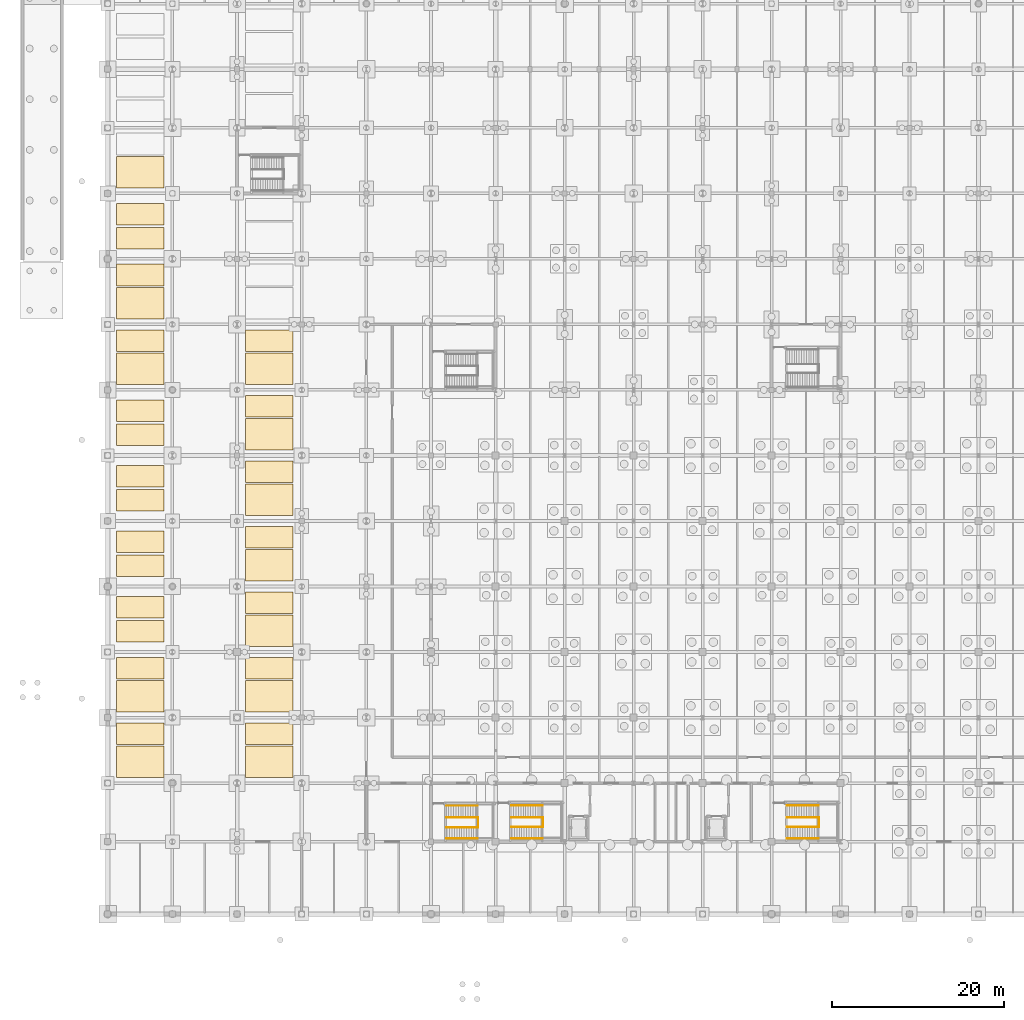
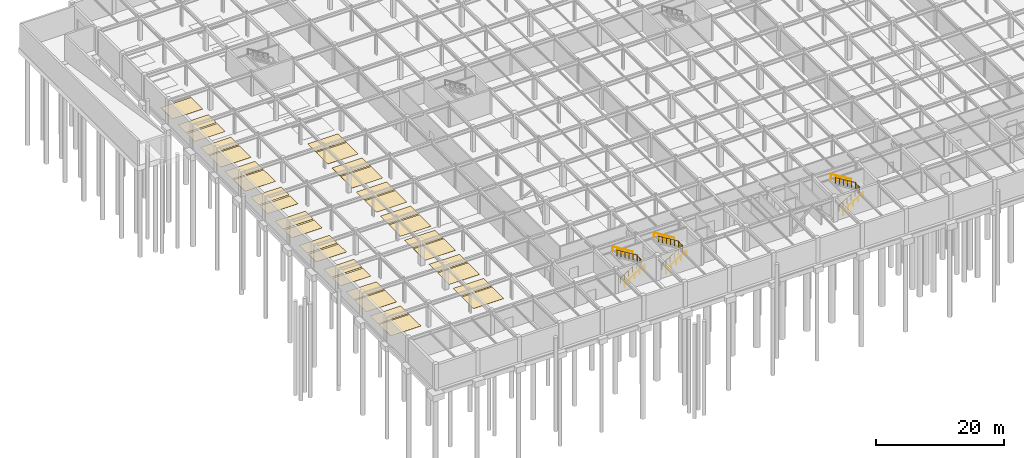
# One storey, part 50 of 53: 33 coverings, 9 railings.
"""IFC4 building model written with IfcOpenShell, lengths in metres."""

from ifc_helpers import new_model, si_unit, direction, frame, origin, origin_2d, place, context, subcontext, project, spatial, polyline, circle, outline, extrude, material, layer, layer_set, type_object, element, save


model = new_model("IFC4")

# Units and contexts
model_context = context("Model", 3, precision=1e-05, world=origin(), true_north=direction((0.0, 1.0)))
body_context = subcontext(model_context, "Body", "Model", "MODEL_VIEW")
ifc_project = project(units=[si_unit("LENGTHUNIT", "METRE"), si_unit("AREAUNIT", "SQUARE_METRE"), si_unit("VOLUMEUNIT", "CUBIC_METRE"), si_unit("PLANEANGLEUNIT", "RADIAN"), si_unit("MASSUNIT", "GRAM", prefix="KILO")], contexts=[model_context])

# Site, building, storey
site_placement = place(None, origin())
site = spatial("IfcSite", under=ifc_project, at=site_placement, CompositionType="ELEMENT")
building_placement = place(site_placement, origin())
building = spatial("IfcBuilding", under=site, at=building_placement, Name="Shalkamar Park Central Library", CompositionType="ELEMENT")
storey_placement = place(building_placement, frame((0.0, 0.0, -4.800048828125)))
storey = spatial("IfcBuildingStorey", under=building, at=storey_placement, Name="B1", CompositionType="ELEMENT", Elevation=-4.800048828125)

# Coverings
ifc_material_1 = material(Name="Thermoplastic accessible MGN parking bay marking", Category="other")
ifc_layer_1 = layer(ifc_material_1, 0.014892578125)
ifc_layer_set_1 = layer_set([ifc_layer_1], Name="AccessibleParkingBayMarking_3660x5500")
covering_type_1 = type_object("IfcCoveringType", Name="Accessible Parking Bay Marking 3660x5500", PredefinedType="FLOORING", material=ifc_layer_set_1)
covering_1_placement = place(storey_placement, origin())
element("IfcCovering", 1, at=covering_1_placement, inside=storey, type_object=covering_type_1, Name="Accessible MGN Parking Bay 01", PredefinedType="FLOORING", context=body_context, shape_type="SweptSolid", body=[
    extrude(outline(polyline([(121.0, 255.820068359375), (126.5, 255.820068359375), (126.5, 259.47998046875), (121.0, 259.47998046875), (121.0, 255.820068359375)])), origin(), (0.0, 0.0, 1.0), 0.01513671875),
])
covering_2_placement = place(storey_placement, origin())
element("IfcCovering", 2, at=covering_2_placement, inside=storey, type_object=covering_type_1, Name="Accessible MGN Parking Bay 02", PredefinedType="FLOORING", context=body_context, shape_type="SweptSolid", body=[
    extrude(outline(polyline([(121.0, 263.419921875), (126.5, 263.419921875), (126.5, 267.080078125), (121.0, 267.080078125), (121.0, 263.419921875)])), origin(), (0.0, 0.0, 1.0), 0.01513671875),
])
covering_3_placement = place(storey_placement, origin())
element("IfcCovering", 3, at=covering_3_placement, inside=storey, type_object=covering_type_1, Name="Accessible MGN Parking Bay 03", PredefinedType="FLOORING", context=body_context, shape_type="SweptSolid", body=[
    extrude(outline(polyline([(121.0, 301.419921875), (126.5, 301.419921875), (126.5, 305.080078125), (121.0, 305.080078125), (121.0, 301.419921875)])), origin(), (0.0, 0.0, 1.0), 0.01513671875),
])
covering_4_placement = place(storey_placement, origin())
element("IfcCovering", 4, at=covering_4_placement, inside=storey, type_object=covering_type_1, Name="Accessible MGN Parking Bay 04", PredefinedType="FLOORING", context=body_context, shape_type="SweptSolid", body=[
    extrude(outline(polyline([(121.0, 309.02001953125), (126.5, 309.02001953125), (126.5, 312.679931640625), (121.0, 312.679931640625), (121.0, 309.02001953125)])), origin(), (0.0, 0.0, 1.0), 0.01513671875),
])
covering_5_placement = place(storey_placement, origin())
element("IfcCovering", 5, at=covering_5_placement, inside=storey, type_object=covering_type_1, Name="Accessible MGN Parking Bay 05", PredefinedType="FLOORING", context=body_context, shape_type="SweptSolid", body=[
    extrude(outline(polyline([(121.0, 324.219970703125), (126.5, 324.219970703125), (126.5, 327.8798828125), (121.0, 327.8798828125), (121.0, 324.219970703125)])), origin(), (0.0, 0.0, 1.0), 0.01513671875),
])
covering_6_placement = place(storey_placement, origin())
element("IfcCovering", 6, at=covering_6_placement, inside=storey, type_object=covering_type_1, Name="Accessible MGN Parking Bay 06", PredefinedType="FLOORING", context=body_context, shape_type="SweptSolid", body=[
    extrude(outline(polyline([(136.0, 255.820068359375), (141.5, 255.820068359375), (141.5, 259.47998046875), (136.0, 259.47998046875), (136.0, 255.820068359375)])), origin(), (0.0, 0.0, 1.0), 0.01513671875),
])
covering_7_placement = place(storey_placement, origin())
element("IfcCovering", 7, at=covering_7_placement, inside=storey, type_object=covering_type_1, Name="Accessible MGN Parking Bay 07", PredefinedType="FLOORING", context=body_context, shape_type="SweptSolid", body=[
    extrude(outline(polyline([(136.0, 263.419921875), (141.5, 263.419921875), (141.5, 267.080078125), (136.0, 267.080078125), (136.0, 263.419921875)])), origin(), (0.0, 0.0, 1.0), 0.01513671875),
])
covering_8_placement = place(storey_placement, origin())
element("IfcCovering", 8, at=covering_8_placement, inside=storey, type_object=covering_type_1, Name="Accessible MGN Parking Bay 08", PredefinedType="FLOORING", context=body_context, shape_type="SweptSolid", body=[
    extrude(outline(polyline([(136.0, 271.02001953125), (141.5, 271.02001953125), (141.5, 274.679931640625), (136.0, 274.679931640625), (136.0, 271.02001953125)])), origin(), (0.0, 0.0, 1.0), 0.01513671875),
])
covering_9_placement = place(storey_placement, origin())
element("IfcCovering", 9, at=covering_9_placement, inside=storey, type_object=covering_type_1, Name="Accessible MGN Parking Bay 09", PredefinedType="FLOORING", context=body_context, shape_type="SweptSolid", body=[
    extrude(outline(polyline([(136.0, 278.6201171875), (141.5, 278.6201171875), (141.5, 282.280029296875), (136.0, 282.280029296875), (136.0, 278.6201171875)])), origin(), (0.0, 0.0, 1.0), 0.01513671875),
])
covering_10_placement = place(storey_placement, origin())
element("IfcCovering", 10, at=covering_10_placement, inside=storey, type_object=covering_type_1, Name="Accessible MGN Parking Bay 10", PredefinedType="FLOORING", context=body_context, shape_type="SweptSolid", body=[
    extrude(outline(polyline([(136.0, 286.219970703125), (141.5, 286.219970703125), (141.5, 289.8798828125), (136.0, 289.8798828125), (136.0, 286.219970703125)])), origin(), (0.0, 0.0, 1.0), 0.01513671875),
])
covering_11_placement = place(storey_placement, origin())
element("IfcCovering", 11, at=covering_11_placement, inside=storey, type_object=covering_type_1, Name="Accessible MGN Parking Bay 11", PredefinedType="FLOORING", context=body_context, shape_type="SweptSolid", body=[
    extrude(outline(polyline([(136.0, 293.820068359375), (141.5, 293.820068359375), (141.5, 297.47998046875), (136.0, 297.47998046875), (136.0, 293.820068359375)])), origin(), (0.0, 0.0, 1.0), 0.01513671875),
])
covering_12_placement = place(storey_placement, origin())
element("IfcCovering", 12, at=covering_12_placement, inside=storey, type_object=covering_type_1, Name="Accessible MGN Parking Bay 12", PredefinedType="FLOORING", context=body_context, shape_type="SweptSolid", body=[
    extrude(outline(polyline([(136.0, 301.419921875), (141.5, 301.419921875), (141.5, 305.080078125), (136.0, 305.080078125), (136.0, 301.419921875)])), origin(), (0.0, 0.0, 1.0), 0.01513671875),
])

# Railings
ifc_material_2 = material(Name="Steel S355", Category="steel")
railing_type_1 = type_object("IfcRailingType", Name="Stair Guardrail 1100", PredefinedType="GUARDRAIL", material=ifc_material_2)
railing_1_placement = place(storey_placement, frame((166.800048828125, 250.090087890625, 0.17138671875)))
element("IfcRailing", 13, at=railing_1_placement, inside=storey, type_object=railing_type_1, Name="Stair Inner Well Guardrail ST-T1-B1", PredefinedType="GUARDRAIL", context=body_context, shape_type="SweptSolid", body=[
    extrude(circle(Radius=0.02392578125, at=origin_2d()), frame((0.0, 0.0, 1.076171875), z_axis=(0.852824790078, 0.0, 0.522197163366), x_axis=(0.0, 1.0, 0.0)), (0.0, 0.0, 1.0), 4.26806640625),
    extrude(circle(Radius=0.02392578125, at=origin_2d()), frame((3.639892578125, 0.0, 3.3046875), z_axis=(1.0, 0.0, 0.0), x_axis=(0.0, 1.0, 0.0)), (0.0, 0.0, 1.0), 0.06005859375),
    extrude(circle(Radius=0.02392578125, at=origin_2d()), frame((3.699951171875, 0.0, 3.3046875), z_axis=(0.0, 1.0, 0.0), x_axis=(-1.0, 0.0, 0.0)), (0.0, 0.0, 1.0), 1.119873046875),
    extrude(circle(Radius=0.02392578125, at=origin_2d()), frame((3.699951171875, 1.119873046875, 3.3046875), z_axis=(-0.33070969211, 0.0, 0.943732536021), x_axis=(0.0, -1.0, 0.0)), (0.0, 0.0, 1.0), 0.181640625),
    extrude(circle(Radius=0.02392578125, at=origin_2d()), frame((3.639892578125, 1.119873046875, 3.47607421875), z_axis=(-0.852850264322, 0.0, 0.5221555579), x_axis=(0.0, -1.0, 0.0)), (0.0, 0.0, 1.0), 4.267822265625),
    extrude(circle(Radius=0.02099609375, at=origin_2d()), origin(), (0.0, 0.0, 1.0), 1.052001953125),
    extrude(circle(Radius=0.02099609375, at=origin_2d()), frame((0.72802734375, 0.0, 0.44580078125)), (0.0, 0.0, 1.0), 1.052001953125),
    extrude(circle(Radius=0.02099609375, at=origin_2d()), frame((1.4560546875, 0.0, 0.8916015625)), (0.0, 0.0, 1.0), 1.052001953125),
    extrude(circle(Radius=0.02099609375, at=origin_2d()), frame((2.183837890625, 0.0, 1.337158203125)), (0.0, 0.0, 1.0), 1.052001953125),
    extrude(circle(Radius=0.02099609375, at=origin_2d()), frame((2.911865234375, 0.0, 1.782958984375)), (0.0, 0.0, 1.0), 1.052001953125),
    extrude(circle(Radius=0.02099609375, at=origin_2d()), frame((3.639892578125, 0.0, 2.228759765625)), (0.0, 0.0, 1.0), 1.052001953125),
    extrude(circle(Radius=0.02099609375, at=origin_2d()), frame((3.699951171875, 0.0, 2.228759765625)), (0.0, 0.0, 1.0), 1.052001953125),
    extrude(circle(Radius=0.02099609375, at=origin_2d()), frame((3.699951171875, 0.56005859375, 2.228759765625)), (0.0, 0.0, 1.0), 1.052001953125),
    extrude(circle(Radius=0.02099609375, at=origin_2d()), frame((3.699951171875, 1.119873046875, 2.228759765625)), (0.0, 0.0, 1.0), 1.052001953125),
    extrude(circle(Radius=0.02099609375, at=origin_2d()), frame((3.639892578125, 1.119873046875, 2.400146484375)), (0.0, 0.0, 1.0), 1.052001953125),
    extrude(circle(Radius=0.02099609375, at=origin_2d()), frame((2.911865234375, 1.119873046875, 2.845947265625)), (0.0, 0.0, 1.0), 1.052001953125),
    extrude(circle(Radius=0.02099609375, at=origin_2d()), frame((2.183837890625, 1.119873046875, 3.29150390625)), (0.0, 0.0, 1.0), 1.052001953125),
    extrude(circle(Radius=0.02099609375, at=origin_2d()), frame((1.4560546875, 1.119873046875, 3.7373046875)), (0.0, 0.0, 1.0), 1.052001953125),
    extrude(circle(Radius=0.02099609375, at=origin_2d()), frame((0.72802734375, 1.119873046875, 4.182861328125)), (0.0, 0.0, 1.0), 1.052001953125),
    extrude(circle(Radius=0.02099609375, at=origin_2d()), frame((0.0, 1.119873046875, 4.628662109375)), (0.0, 0.0, 1.0), 1.052001953125),
])
railing_2_placement = place(storey_placement, frame((198.800048828125, 250.090087890625, 0.17138671875)))
element("IfcRailing", 14, at=railing_2_placement, inside=storey, type_object=railing_type_1, Name="Stair Inner Well Guardrail ST-T2-B1", PredefinedType="GUARDRAIL", context=body_context, shape_type="SweptSolid", body=[
    extrude(circle(Radius=0.02392578125, at=origin_2d()), frame((0.0, 0.0, 1.076171875), z_axis=(0.852824790078, 0.0, 0.522197163366), x_axis=(0.0, 1.0, 0.0)), (0.0, 0.0, 1.0), 4.26806640625),
    extrude(circle(Radius=0.02392578125, at=origin_2d()), frame((3.639892578125, 0.0, 3.3046875), z_axis=(1.0, 0.0, 0.0), x_axis=(0.0, 1.0, 0.0)), (0.0, 0.0, 1.0), 0.06005859375),
    extrude(circle(Radius=0.02392578125, at=origin_2d()), frame((3.699951171875, 0.0, 3.3046875), z_axis=(0.0, 1.0, 0.0), x_axis=(-1.0, 0.0, 0.0)), (0.0, 0.0, 1.0), 1.119873046875),
    extrude(circle(Radius=0.02392578125, at=origin_2d()), frame((3.699951171875, 1.119873046875, 3.3046875), z_axis=(-0.33070969211, 0.0, 0.943732536021), x_axis=(0.0, -1.0, 0.0)), (0.0, 0.0, 1.0), 0.181640625),
    extrude(circle(Radius=0.02392578125, at=origin_2d()), frame((3.639892578125, 1.119873046875, 3.47607421875), z_axis=(-0.852850264322, 0.0, 0.5221555579), x_axis=(0.0, -1.0, 0.0)), (0.0, 0.0, 1.0), 4.267822265625),
    extrude(circle(Radius=0.02099609375, at=origin_2d()), origin(), (0.0, 0.0, 1.0), 1.052001953125),
    extrude(circle(Radius=0.02099609375, at=origin_2d()), frame((0.72802734375, 0.0, 0.44580078125)), (0.0, 0.0, 1.0), 1.052001953125),
    extrude(circle(Radius=0.02099609375, at=origin_2d()), frame((1.4560546875, 0.0, 0.8916015625)), (0.0, 0.0, 1.0), 1.052001953125),
    extrude(circle(Radius=0.02099609375, at=origin_2d()), frame((2.183837890625, 0.0, 1.337158203125)), (0.0, 0.0, 1.0), 1.052001953125),
    extrude(circle(Radius=0.02099609375, at=origin_2d()), frame((2.911865234375, 0.0, 1.782958984375)), (0.0, 0.0, 1.0), 1.052001953125),
    extrude(circle(Radius=0.02099609375, at=origin_2d()), frame((3.639892578125, 0.0, 2.228759765625)), (0.0, 0.0, 1.0), 1.052001953125),
    extrude(circle(Radius=0.02099609375, at=origin_2d()), frame((3.699951171875, 0.0, 2.228759765625)), (0.0, 0.0, 1.0), 1.052001953125),
    extrude(circle(Radius=0.02099609375, at=origin_2d()), frame((3.699951171875, 0.56005859375, 2.228759765625)), (0.0, 0.0, 1.0), 1.052001953125),
    extrude(circle(Radius=0.02099609375, at=origin_2d()), frame((3.699951171875, 1.119873046875, 2.228759765625)), (0.0, 0.0, 1.0), 1.052001953125),
    extrude(circle(Radius=0.02099609375, at=origin_2d()), frame((3.639892578125, 1.119873046875, 2.400146484375)), (0.0, 0.0, 1.0), 1.052001953125),
    extrude(circle(Radius=0.02099609375, at=origin_2d()), frame((2.911865234375, 1.119873046875, 2.845947265625)), (0.0, 0.0, 1.0), 1.052001953125),
    extrude(circle(Radius=0.02099609375, at=origin_2d()), frame((2.183837890625, 1.119873046875, 3.29150390625)), (0.0, 0.0, 1.0), 1.052001953125),
    extrude(circle(Radius=0.02099609375, at=origin_2d()), frame((1.4560546875, 1.119873046875, 3.7373046875)), (0.0, 0.0, 1.0), 1.052001953125),
    extrude(circle(Radius=0.02099609375, at=origin_2d()), frame((0.72802734375, 1.119873046875, 4.182861328125)), (0.0, 0.0, 1.0), 1.052001953125),
    extrude(circle(Radius=0.02099609375, at=origin_2d()), frame((0.0, 1.119873046875, 4.628662109375)), (0.0, 0.0, 1.0), 1.052001953125),
])
railing_3_placement = place(storey_placement, frame((159.27490234375, 250.06494140625, 0.17138671875)))
element("IfcRailing", 15, at=railing_3_placement, inside=storey, type_object=railing_type_1, Name="Stair Inner Well Guardrail ST-P1-B1", PredefinedType="GUARDRAIL", context=body_context, shape_type="SweptSolid", body=[
    extrude(circle(Radius=0.02392578125, at=origin_2d()), frame((0.0, 0.0, 1.076171875), z_axis=(0.852840387347, 0.0, 0.522171689878), x_axis=(0.0, 1.0, 0.0)), (0.0, 0.0, 1.0), 4.268310546875),
    extrude(circle(Radius=0.02392578125, at=origin_2d()), frame((3.64013671875, 0.0, 3.3046875), z_axis=(1.0, 0.0, 0.0), x_axis=(0.0, 1.0, 0.0)), (0.0, 0.0, 1.0), 0.06005859375),
    extrude(circle(Radius=0.02392578125, at=origin_2d()), frame((3.7001953125, 0.0, 3.3046875), z_axis=(0.0, 1.0, 0.0), x_axis=(-1.0, 0.0, 0.0)), (0.0, 0.0, 1.0), 1.1201171875),
    extrude(circle(Radius=0.02392578125, at=origin_2d()), frame((3.7001953125, 1.1201171875, 3.3046875), z_axis=(-0.33070969211, 0.0, 0.943732536021), x_axis=(0.0, -1.0, 0.0)), (0.0, 0.0, 1.0), 0.181640625),
    extrude(circle(Radius=0.02392578125, at=origin_2d()), frame((3.64013671875, 1.1201171875, 3.47607421875), z_axis=(-0.852865859571, 0.0, 0.52213008492), x_axis=(0.0, -1.0, 0.0)), (0.0, 0.0, 1.0), 4.26806640625),
    extrude(circle(Radius=0.02099609375, at=origin_2d()), origin(), (0.0, 0.0, 1.0), 1.052001953125),
    extrude(circle(Radius=0.02099609375, at=origin_2d()), frame((0.72802734375, 0.0, 0.44580078125)), (0.0, 0.0, 1.0), 1.052001953125),
    extrude(circle(Radius=0.02099609375, at=origin_2d()), frame((1.4560546875, 0.0, 0.8916015625)), (0.0, 0.0, 1.0), 1.052001953125),
    extrude(circle(Radius=0.02099609375, at=origin_2d()), frame((2.18408203125, 0.0, 1.337158203125)), (0.0, 0.0, 1.0), 1.052001953125),
    extrude(circle(Radius=0.02099609375, at=origin_2d()), frame((2.912109375, 0.0, 1.782958984375)), (0.0, 0.0, 1.0), 1.052001953125),
    extrude(circle(Radius=0.02099609375, at=origin_2d()), frame((3.64013671875, 0.0, 2.228759765625)), (0.0, 0.0, 1.0), 1.052001953125),
    extrude(circle(Radius=0.02099609375, at=origin_2d()), frame((3.7001953125, 0.0, 2.228759765625)), (0.0, 0.0, 1.0), 1.052001953125),
    extrude(circle(Radius=0.02099609375, at=origin_2d()), frame((3.7001953125, 0.56005859375, 2.228759765625)), (0.0, 0.0, 1.0), 1.052001953125),
    extrude(circle(Radius=0.02099609375, at=origin_2d()), frame((3.7001953125, 1.1201171875, 2.228759765625)), (0.0, 0.0, 1.0), 1.052001953125),
    extrude(circle(Radius=0.02099609375, at=origin_2d()), frame((3.64013671875, 1.1201171875, 2.400146484375)), (0.0, 0.0, 1.0), 1.052001953125),
    extrude(circle(Radius=0.02099609375, at=origin_2d()), frame((2.912109375, 1.1201171875, 2.845947265625)), (0.0, 0.0, 1.0), 1.052001953125),
    extrude(circle(Radius=0.02099609375, at=origin_2d()), frame((2.18408203125, 1.1201171875, 3.29150390625)), (0.0, 0.0, 1.0), 1.052001953125),
    extrude(circle(Radius=0.02099609375, at=origin_2d()), frame((1.4560546875, 1.1201171875, 3.7373046875)), (0.0, 0.0, 1.0), 1.052001953125),
    extrude(circle(Radius=0.02099609375, at=origin_2d()), frame((0.72802734375, 1.1201171875, 4.182861328125)), (0.0, 0.0, 1.0), 1.052001953125),
    extrude(circle(Radius=0.02099609375, at=origin_2d()), frame((0.0, 1.1201171875, 4.628662109375)), (0.0, 0.0, 1.0), 1.052001953125),
])
railing_type_2 = type_object("IfcRailingType", Name="Stair Pitched Handrail 920", PredefinedType="HANDRAIL", material=ifc_material_2)
railing_4_placement = place(storey_placement, frame((166.800048828125, 248.780029296875, 0.17138671875)))
element("IfcRailing", 16, at=railing_4_placement, inside=storey, type_object=railing_type_2, Name="Stair Wall Handrail ST-T1-B1 Flight 1", PredefinedType="HANDRAIL", context=body_context, shape_type="SweptSolid", body=[
    extrude(circle(Radius=0.02392578125, at=origin_2d()), frame((0.0, 0.0, 0.89599609375), z_axis=(0.852824790078, 0.0, 0.522197163366), x_axis=(0.0, 1.0, 0.0)), (0.0, 0.0, 1.0), 4.26806640625),
    extrude(circle(Radius=0.02099609375, at=origin_2d()), origin(), (0.0, 0.0, 1.0), 0.871826171875),
    extrude(circle(Radius=0.02099609375, at=origin_2d()), frame((0.909912109375, 0.0, 0.55712890625)), (0.0, 0.0, 1.0), 0.871826171875),
    extrude(circle(Radius=0.02099609375, at=origin_2d()), frame((1.81982421875, 0.0, 1.1142578125)), (0.0, 0.0, 1.0), 0.871826171875),
    extrude(circle(Radius=0.02099609375, at=origin_2d()), frame((2.72998046875, 0.0, 1.671630859375)), (0.0, 0.0, 1.0), 0.871826171875),
    extrude(circle(Radius=0.02099609375, at=origin_2d()), frame((3.639892578125, 0.0, 2.228759765625)), (0.0, 0.0, 1.0), 0.871826171875),
])
railing_5_placement = place(storey_placement, frame((170.43994140625, 252.60009765625, 2.571533203125)))
element("IfcRailing", 17, at=railing_5_placement, inside=storey, type_object=railing_type_2, Name="Stair Wall Handrail ST-T1-B1 Flight 2", PredefinedType="HANDRAIL", context=body_context, shape_type="SweptSolid", body=[
    extrude(circle(Radius=0.02392578125, at=origin_2d()), frame((0.0, 0.0, 0.89599609375), z_axis=(-0.852850264322, 0.0, 0.5221555579), x_axis=(0.0, -1.0, 0.0)), (0.0, 0.0, 1.0), 4.267822265625),
    extrude(circle(Radius=0.02099609375, at=origin_2d()), origin(), (0.0, 0.0, 1.0), 0.871826171875),
    extrude(circle(Radius=0.02099609375, at=origin_2d()), frame((-0.909912109375, 0.0, 0.55712890625)), (0.0, 0.0, 1.0), 0.871826171875),
    extrude(circle(Radius=0.02099609375, at=origin_2d()), frame((-1.81982421875, 0.0, 1.1142578125)), (0.0, 0.0, 1.0), 0.871826171875),
    extrude(circle(Radius=0.02099609375, at=origin_2d()), frame((-2.72998046875, 0.0, 1.67138671875)), (0.0, 0.0, 1.0), 0.871826171875),
    extrude(circle(Radius=0.02099609375, at=origin_2d()), frame((-3.639892578125, 0.0, 2.228515625)), (0.0, 0.0, 1.0), 0.871826171875),
])
railing_6_placement = place(storey_placement, frame((198.800048828125, 248.780029296875, 0.17138671875)))
element("IfcRailing", 18, at=railing_6_placement, inside=storey, type_object=railing_type_2, Name="Stair Wall Handrail ST-T2-B1 Flight 1", PredefinedType="HANDRAIL", context=body_context, shape_type="SweptSolid", body=[
    extrude(circle(Radius=0.02392578125, at=origin_2d()), frame((0.0, 0.0, 0.89599609375), z_axis=(0.852824790078, 0.0, 0.522197163366), x_axis=(0.0, 1.0, 0.0)), (0.0, 0.0, 1.0), 4.26806640625),
    extrude(circle(Radius=0.02099609375, at=origin_2d()), origin(), (0.0, 0.0, 1.0), 0.871826171875),
    extrude(circle(Radius=0.02099609375, at=origin_2d()), frame((0.909912109375, 0.0, 0.55712890625)), (0.0, 0.0, 1.0), 0.871826171875),
    extrude(circle(Radius=0.02099609375, at=origin_2d()), frame((1.81982421875, 0.0, 1.1142578125)), (0.0, 0.0, 1.0), 0.871826171875),
    extrude(circle(Radius=0.02099609375, at=origin_2d()), frame((2.72998046875, 0.0, 1.671630859375)), (0.0, 0.0, 1.0), 0.871826171875),
    extrude(circle(Radius=0.02099609375, at=origin_2d()), frame((3.639892578125, 0.0, 2.228759765625)), (0.0, 0.0, 1.0), 0.871826171875),
])
railing_7_placement = place(storey_placement, frame((202.43994140625, 252.60009765625, 2.571533203125)))
element("IfcRailing", 19, at=railing_7_placement, inside=storey, type_object=railing_type_2, Name="Stair Wall Handrail ST-T2-B1 Flight 2", PredefinedType="HANDRAIL", context=body_context, shape_type="SweptSolid", body=[
    extrude(circle(Radius=0.02392578125, at=origin_2d()), frame((0.0, 0.0, 0.89599609375), z_axis=(-0.852850264322, 0.0, 0.5221555579), x_axis=(0.0, -1.0, 0.0)), (0.0, 0.0, 1.0), 4.267822265625),
    extrude(circle(Radius=0.02099609375, at=origin_2d()), origin(), (0.0, 0.0, 1.0), 0.871826171875),
    extrude(circle(Radius=0.02099609375, at=origin_2d()), frame((-0.909912109375, 0.0, 0.55712890625)), (0.0, 0.0, 1.0), 0.871826171875),
    extrude(circle(Radius=0.02099609375, at=origin_2d()), frame((-1.81982421875, 0.0, 1.1142578125)), (0.0, 0.0, 1.0), 0.871826171875),
    extrude(circle(Radius=0.02099609375, at=origin_2d()), frame((-2.72998046875, 0.0, 1.67138671875)), (0.0, 0.0, 1.0), 0.871826171875),
    extrude(circle(Radius=0.02099609375, at=origin_2d()), frame((-3.639892578125, 0.0, 2.228515625)), (0.0, 0.0, 1.0), 0.871826171875),
])
railing_8_placement = place(storey_placement, frame((159.27490234375, 248.7548828125, 0.17138671875)))
element("IfcRailing", 20, at=railing_8_placement, inside=storey, type_object=railing_type_2, Name="Stair Wall Handrail ST-P1-B1 Flight 1", PredefinedType="HANDRAIL", context=body_context, shape_type="SweptSolid", body=[
    extrude(circle(Radius=0.02392578125, at=origin_2d()), frame((0.0, 0.0, 0.89599609375), z_axis=(0.852840387347, 0.0, 0.522171689878), x_axis=(0.0, 1.0, 0.0)), (0.0, 0.0, 1.0), 4.268310546875),
    extrude(circle(Radius=0.02099609375, at=origin_2d()), origin(), (0.0, 0.0, 1.0), 0.871826171875),
    extrude(circle(Radius=0.02099609375, at=origin_2d()), frame((0.91015625, 0.0, 0.55712890625)), (0.0, 0.0, 1.0), 0.871826171875),
    extrude(circle(Radius=0.02099609375, at=origin_2d()), frame((1.820068359375, 0.0, 1.1142578125)), (0.0, 0.0, 1.0), 0.871826171875),
    extrude(circle(Radius=0.02099609375, at=origin_2d()), frame((2.72998046875, 0.0, 1.671630859375)), (0.0, 0.0, 1.0), 0.871826171875),
    extrude(circle(Radius=0.02099609375, at=origin_2d()), frame((3.64013671875, 0.0, 2.228759765625)), (0.0, 0.0, 1.0), 0.871826171875),
])
railing_9_placement = place(storey_placement, frame((162.9150390625, 252.574951171875, 2.571533203125)))
element("IfcRailing", 21, at=railing_9_placement, inside=storey, type_object=railing_type_2, Name="Stair Wall Handrail ST-P1-B1 Flight 2", PredefinedType="HANDRAIL", context=body_context, shape_type="SweptSolid", body=[
    extrude(circle(Radius=0.02392578125, at=origin_2d()), frame((0.0, 0.0, 0.89599609375), z_axis=(-0.852865859571, 0.0, 0.52213008492), x_axis=(0.0, -1.0, 0.0)), (0.0, 0.0, 1.0), 4.26806640625),
    extrude(circle(Radius=0.02099609375, at=origin_2d()), origin(), (0.0, 0.0, 1.0), 0.871826171875),
    extrude(circle(Radius=0.02099609375, at=origin_2d()), frame((-0.91015625, 0.0, 0.55712890625)), (0.0, 0.0, 1.0), 0.871826171875),
    extrude(circle(Radius=0.02099609375, at=origin_2d()), frame((-1.820068359375, 0.0, 1.1142578125)), (0.0, 0.0, 1.0), 0.871826171875),
    extrude(circle(Radius=0.02099609375, at=origin_2d()), frame((-2.72998046875, 0.0, 1.67138671875)), (0.0, 0.0, 1.0), 0.871826171875),
    extrude(circle(Radius=0.02099609375, at=origin_2d()), frame((-3.64013671875, 0.0, 2.228515625)), (0.0, 0.0, 1.0), 0.871826171875),
])

# Coverings
ifc_material_3 = material(Name="Thermoplastic parking bay floor marking", Category="other")
ifc_layer_2 = layer(ifc_material_3, 0.014892578125)
ifc_layer_set_2 = layer_set([ifc_layer_2], Name="StandardParkingBayMarking_2500x5500")
covering_type_2 = type_object("IfcCoveringType", Name="Standard Parking Bay Marking 2500x5500", PredefinedType="FLOORING", material=ifc_layer_set_2)
covering_13_placement = place(storey_placement, origin())
element("IfcCovering", 22, at=covering_13_placement, inside=storey, type_object=covering_type_2, Name="Standard Car Parking Bay 01", PredefinedType="FLOORING", context=body_context, shape_type="SweptSolid", body=[
    extrude(outline(polyline([(121.0, 259.679931640625), (126.5, 259.679931640625), (126.5, 262.179931640625), (121.0, 262.179931640625), (121.0, 259.679931640625)])), origin(), (0.0, 0.0, 1.0), 0.01513671875),
])
covering_14_placement = place(storey_placement, origin())
element("IfcCovering", 23, at=covering_14_placement, inside=storey, type_object=covering_type_2, Name="Standard Car Parking Bay 02", PredefinedType="FLOORING", context=body_context, shape_type="SweptSolid", body=[
    extrude(outline(polyline([(121.0, 267.280029296875), (126.5, 267.280029296875), (126.5, 269.780029296875), (121.0, 269.780029296875), (121.0, 267.280029296875)])), origin(), (0.0, 0.0, 1.0), 0.01513671875),
])
covering_15_placement = place(storey_placement, origin())
element("IfcCovering", 24, at=covering_15_placement, inside=storey, type_object=covering_type_2, Name="Standard Car Parking Bay 03", PredefinedType="FLOORING", context=body_context, shape_type="SweptSolid", body=[
    extrude(outline(polyline([(121.0, 271.550048828125), (126.5, 271.550048828125), (126.5, 274.050048828125), (121.0, 274.050048828125), (121.0, 271.550048828125)])), origin(), (0.0, 0.0, 1.0), 0.01513671875),
])
covering_16_placement = place(storey_placement, origin())
element("IfcCovering", 25, at=covering_16_placement, inside=storey, type_object=covering_type_2, Name="Standard Car Parking Bay 04", PredefinedType="FLOORING", context=body_context, shape_type="SweptSolid", body=[
    extrude(outline(polyline([(121.0, 274.35009765625), (126.5, 274.35009765625), (126.5, 276.85009765625), (121.0, 276.85009765625), (121.0, 274.35009765625)])), origin(), (0.0, 0.0, 1.0), 0.01513671875),
])
covering_17_placement = place(storey_placement, origin())
element("IfcCovering", 26, at=covering_17_placement, inside=storey, type_object=covering_type_2, Name="Standard Car Parking Bay 05", PredefinedType="FLOORING", context=body_context, shape_type="SweptSolid", body=[
    extrude(outline(polyline([(121.0, 279.14990234375), (126.5, 279.14990234375), (126.5, 281.64990234375), (121.0, 281.64990234375), (121.0, 279.14990234375)])), origin(), (0.0, 0.0, 1.0), 0.01513671875),
])
covering_18_placement = place(storey_placement, origin())
element("IfcCovering", 27, at=covering_18_placement, inside=storey, type_object=covering_type_2, Name="Standard Car Parking Bay 06", PredefinedType="FLOORING", context=body_context, shape_type="SweptSolid", body=[
    extrude(outline(polyline([(121.0, 281.949951171875), (126.5, 281.949951171875), (126.5, 284.449951171875), (121.0, 284.449951171875), (121.0, 281.949951171875)])), origin(), (0.0, 0.0, 1.0), 0.01513671875),
])
covering_19_placement = place(storey_placement, origin())
element("IfcCovering", 28, at=covering_19_placement, inside=storey, type_object=covering_type_2, Name="Standard Car Parking Bay 07", PredefinedType="FLOORING", context=body_context, shape_type="SweptSolid", body=[
    extrude(outline(polyline([(121.0, 286.75), (126.5, 286.75), (126.5, 289.25), (121.0, 289.25), (121.0, 286.75)])), origin(), (0.0, 0.0, 1.0), 0.01513671875),
])
covering_20_placement = place(storey_placement, origin())
element("IfcCovering", 29, at=covering_20_placement, inside=storey, type_object=covering_type_2, Name="Standard Car Parking Bay 08", PredefinedType="FLOORING", context=body_context, shape_type="SweptSolid", body=[
    extrude(outline(polyline([(121.0, 289.550048828125), (126.5, 289.550048828125), (126.5, 292.050048828125), (121.0, 292.050048828125), (121.0, 289.550048828125)])), origin(), (0.0, 0.0, 1.0), 0.01513671875),
])
covering_21_placement = place(storey_placement, origin())
element("IfcCovering", 30, at=covering_21_placement, inside=storey, type_object=covering_type_2, Name="Standard Car Parking Bay 09", PredefinedType="FLOORING", context=body_context, shape_type="SweptSolid", body=[
    extrude(outline(polyline([(121.0, 294.35009765625), (126.5, 294.35009765625), (126.5, 296.85009765625), (121.0, 296.85009765625), (121.0, 294.35009765625)])), origin(), (0.0, 0.0, 1.0), 0.01513671875),
])
covering_22_placement = place(storey_placement, origin())
element("IfcCovering", 31, at=covering_22_placement, inside=storey, type_object=covering_type_2, Name="Standard Car Parking Bay 10", PredefinedType="FLOORING", context=body_context, shape_type="SweptSolid", body=[
    extrude(outline(polyline([(121.0, 297.14990234375), (126.5, 297.14990234375), (126.5, 299.64990234375), (121.0, 299.64990234375), (121.0, 297.14990234375)])), origin(), (0.0, 0.0, 1.0), 0.01513671875),
])
covering_23_placement = place(storey_placement, origin())
element("IfcCovering", 32, at=covering_23_placement, inside=storey, type_object=covering_type_2, Name="Standard Car Parking Bay 11", PredefinedType="FLOORING", context=body_context, shape_type="SweptSolid", body=[
    extrude(outline(polyline([(121.0, 305.280029296875), (126.5, 305.280029296875), (126.5, 307.780029296875), (121.0, 307.780029296875), (121.0, 305.280029296875)])), origin(), (0.0, 0.0, 1.0), 0.01513671875),
])
covering_24_placement = place(storey_placement, origin())
element("IfcCovering", 33, at=covering_24_placement, inside=storey, type_object=covering_type_2, Name="Standard Car Parking Bay 12", PredefinedType="FLOORING", context=body_context, shape_type="SweptSolid", body=[
    extrude(outline(polyline([(121.0, 312.8798828125), (126.5, 312.8798828125), (126.5, 315.3798828125), (121.0, 315.3798828125), (121.0, 312.8798828125)])), origin(), (0.0, 0.0, 1.0), 0.01513671875),
])
covering_25_placement = place(storey_placement, origin())
element("IfcCovering", 34, at=covering_25_placement, inside=storey, type_object=covering_type_2, Name="Standard Car Parking Bay 13", PredefinedType="FLOORING", context=body_context, shape_type="SweptSolid", body=[
    extrude(outline(polyline([(121.0, 317.14990234375), (126.5, 317.14990234375), (126.5, 319.64990234375), (121.0, 319.64990234375), (121.0, 317.14990234375)])), origin(), (0.0, 0.0, 1.0), 0.01513671875),
])
covering_26_placement = place(storey_placement, origin())
element("IfcCovering", 35, at=covering_26_placement, inside=storey, type_object=covering_type_2, Name="Standard Car Parking Bay 14", PredefinedType="FLOORING", context=body_context, shape_type="SweptSolid", body=[
    extrude(outline(polyline([(121.0, 319.949951171875), (126.5, 319.949951171875), (126.5, 322.449951171875), (121.0, 322.449951171875), (121.0, 319.949951171875)])), origin(), (0.0, 0.0, 1.0), 0.01513671875),
])
covering_27_placement = place(storey_placement, origin())
element("IfcCovering", 36, at=covering_27_placement, inside=storey, type_object=covering_type_2, Name="Standard Car Parking Bay 20", PredefinedType="FLOORING", context=body_context, shape_type="SweptSolid", body=[
    extrude(outline(polyline([(136.0, 259.679931640625), (141.5, 259.679931640625), (141.5, 262.179931640625), (136.0, 262.179931640625), (136.0, 259.679931640625)])), origin(), (0.0, 0.0, 1.0), 0.01513671875),
])
covering_28_placement = place(storey_placement, origin())
element("IfcCovering", 37, at=covering_28_placement, inside=storey, type_object=covering_type_2, Name="Standard Car Parking Bay 21", PredefinedType="FLOORING", context=body_context, shape_type="SweptSolid", body=[
    extrude(outline(polyline([(136.0, 267.280029296875), (141.5, 267.280029296875), (141.5, 269.780029296875), (136.0, 269.780029296875), (136.0, 267.280029296875)])), origin(), (0.0, 0.0, 1.0), 0.01513671875),
])
covering_29_placement = place(storey_placement, origin())
element("IfcCovering", 38, at=covering_29_placement, inside=storey, type_object=covering_type_2, Name="Standard Car Parking Bay 22", PredefinedType="FLOORING", context=body_context, shape_type="SweptSolid", body=[
    extrude(outline(polyline([(136.0, 274.8798828125), (141.5, 274.8798828125), (141.5, 277.3798828125), (136.0, 277.3798828125), (136.0, 274.8798828125)])), origin(), (0.0, 0.0, 1.0), 0.01513671875),
])
covering_30_placement = place(storey_placement, origin())
element("IfcCovering", 39, at=covering_30_placement, inside=storey, type_object=covering_type_2, Name="Standard Car Parking Bay 23", PredefinedType="FLOORING", context=body_context, shape_type="SweptSolid", body=[
    extrude(outline(polyline([(136.0, 282.47998046875), (141.5, 282.47998046875), (141.5, 284.97998046875), (136.0, 284.97998046875), (136.0, 282.47998046875)])), origin(), (0.0, 0.0, 1.0), 0.01513671875),
])
covering_31_placement = place(storey_placement, origin())
element("IfcCovering", 40, at=covering_31_placement, inside=storey, type_object=covering_type_2, Name="Standard Car Parking Bay 24", PredefinedType="FLOORING", context=body_context, shape_type="SweptSolid", body=[
    extrude(outline(polyline([(136.0, 290.080078125), (141.5, 290.080078125), (141.5, 292.580078125), (136.0, 292.580078125), (136.0, 290.080078125)])), origin(), (0.0, 0.0, 1.0), 0.01513671875),
])
covering_32_placement = place(storey_placement, origin())
element("IfcCovering", 41, at=covering_32_placement, inside=storey, type_object=covering_type_2, Name="Standard Car Parking Bay 25", PredefinedType="FLOORING", context=body_context, shape_type="SweptSolid", body=[
    extrude(outline(polyline([(136.0, 297.679931640625), (141.5, 297.679931640625), (141.5, 300.179931640625), (136.0, 300.179931640625), (136.0, 297.679931640625)])), origin(), (0.0, 0.0, 1.0), 0.01513671875),
])
covering_33_placement = place(storey_placement, origin())
element("IfcCovering", 42, at=covering_33_placement, inside=storey, type_object=covering_type_2, Name="Standard Car Parking Bay 26", PredefinedType="FLOORING", context=body_context, shape_type="SweptSolid", body=[
    extrude(outline(polyline([(136.0, 305.280029296875), (141.5, 305.280029296875), (141.5, 307.780029296875), (136.0, 307.780029296875), (136.0, 305.280029296875)])), origin(), (0.0, 0.0, 1.0), 0.01513671875),
])

save(model, "model.ifc")
